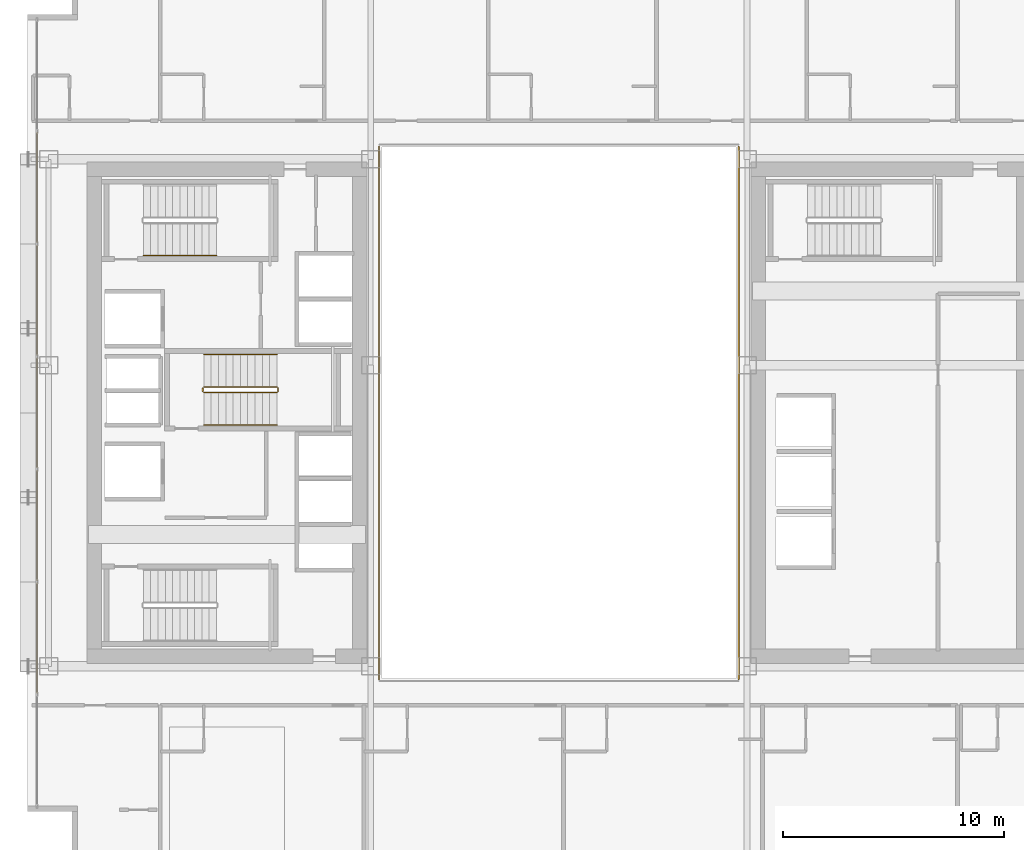
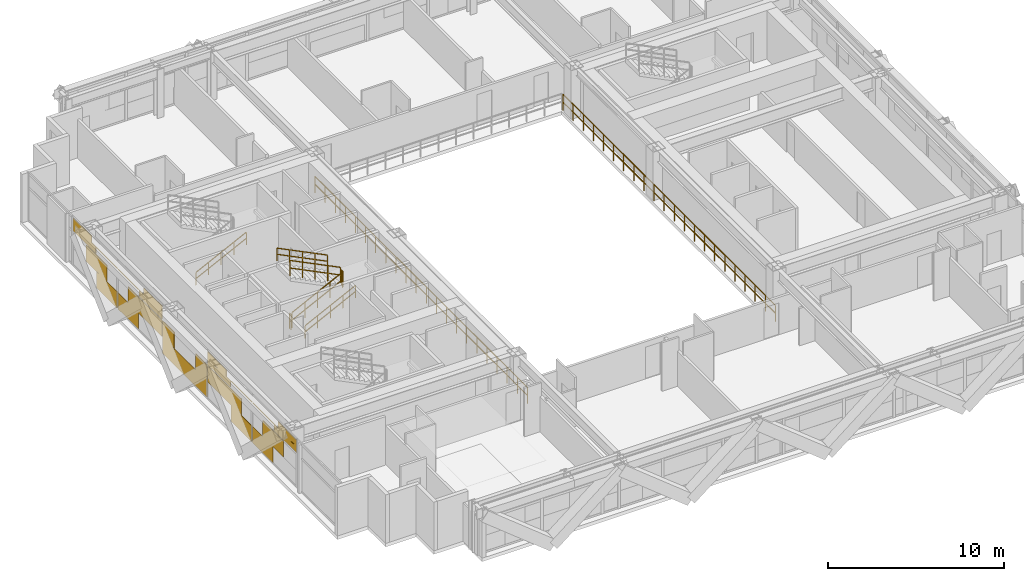
# One storey, part 32 of 34: 9 railings, 1 covering.
"""IFC4 building model written with IfcOpenShell, lengths in metres."""

from ifc_helpers import new_model, si_unit, direction, frame, origin, origin_2d, place, context, subcontext, project, spatial, rectangle, extrude, material, layer, layer_set, type_object, element, save


model = new_model("IFC4")

# Units and contexts
model_context = context("Model", 3, precision=1e-05, world=origin(), true_north=direction((0.0, 1.0)))
body_context = subcontext(model_context, "Body", "Model", "MODEL_VIEW")
ifc_project = project(units=[si_unit("LENGTHUNIT", "METRE"), si_unit("AREAUNIT", "SQUARE_METRE"), si_unit("VOLUMEUNIT", "CUBIC_METRE"), si_unit("PLANEANGLEUNIT", "RADIAN"), si_unit("MASSUNIT", "GRAM", prefix="KILO")], contexts=[model_context])

# Site, building, storey
site_placement = place(None, origin())
site = spatial("IfcSite", under=ifc_project, at=site_placement, CompositionType="ELEMENT")
building_placement = place(site_placement, origin())
building = spatial("IfcBuilding", under=site, at=building_placement, Name="Ocotamira Hotel", CompositionType="ELEMENT")
storey_placement = place(building_placement, frame((0.0, 0.0, 108.0)))
storey = spatial("IfcBuildingStorey", under=building, at=storey_placement, Name="L26", CompositionType="ELEMENT", Elevation=108.0)

# Covering
ifc_material_1 = material(Name="Insulated pale-metal aluminium spandrel panel", Category="aluminium")
ifc_layer = layer(ifc_material_1, 0.044921875)
ifc_layer_set = layer_set([ifc_layer], Name="Insulated pale-metal aluminium spandrel panel")
covering_type = type_object("IfcCoveringType", Name="COV-INFILL-45", PredefinedType="CLADDING", material=ifc_layer_set)
covering_placement = place(storey_placement, origin())
element("IfcCovering", 1, at=covering_placement, inside=storey, type_object=covering_type, Name="L26 Curtain Wall Infill CW-3 CW-L26-W", PredefinedType="CLADDING", context=body_context, shape_type="SweptSolid", body=[
    extrude(rectangle(XDim=2.35107421875, YDim=0.044921875, at=origin_2d()), frame((8.419921875, 15.988525390625, 1.1943359375), z_axis=(0.0, 0.0, 1.0), x_axis=(0.0, 1.0, 0.0)), (0.0, 0.0, 1.0), 1.117919921875),
    extrude(rectangle(XDim=2.331787109375, YDim=0.044921875, at=origin_2d()), frame((8.419921875, 17.1650390625, 0.07568359375), z_axis=(0.0, 0.0, 1.0), x_axis=(0.0, 1.0, 0.0)), (0.0, 0.0, 1.0), 1.11767578125),
    extrude(rectangle(XDim=2.572265625, YDim=0.044921875, at=origin_2d()), frame((8.419921875, 14.6123046875, 2.38818359375), z_axis=(0.0, 0.0, 1.0), x_axis=(0.0, 1.0, 0.0)), (0.0, 0.0, 1.0), 0.413330078125),
    extrude(rectangle(XDim=5.004638671875, YDim=0.044921875, at=origin_2d()), frame((8.419921875, 15.82861328125, 2.802490234375), z_axis=(0.0, 0.0, 1.0), x_axis=(0.0, 1.0, 0.0)), (0.0, 0.0, 1.0), 0.033203125),
    extrude(rectangle(XDim=2.096435546875, YDim=0.044921875, at=origin_2d()), frame((8.419921875, 14.37451171875, 2.836669921875), z_axis=(0.0, 0.0, 1.0), x_axis=(0.0, 1.0, 0.0)), (0.0, 0.0, 1.0), 0.44775390625),
    extrude(rectangle(XDim=2.322265625, YDim=0.044921875, at=origin_2d()), frame((8.419921875, 19.572998046875, 0.07568359375), z_axis=(0.0, 0.0, 1.0), x_axis=(0.0, 1.0, 0.0)), (0.0, 0.0, 1.0), 1.11767578125),
    extrude(rectangle(XDim=3.847412109375, YDim=0.044921875, at=origin_2d()), frame((8.419921875, 21.492919921875, 1.1943359375), z_axis=(0.0, 0.0, 1.0), x_axis=(0.0, 1.0, 0.0)), (0.0, 0.0, 1.0), 1.117919921875),
    extrude(rectangle(XDim=5.004638671875, YDim=0.044921875, at=origin_2d()), frame((8.419921875, 20.914306640625, 2.802490234375), z_axis=(0.0, 0.0, 1.0), x_axis=(0.0, 1.0, 0.0)), (0.0, 0.0, 1.0), 0.033203125),
    extrude(rectangle(XDim=2.581787109375, YDim=0.044921875, at=origin_2d()), frame((8.419921875, 22.125732421875, 2.38818359375), z_axis=(0.0, 0.0, 1.0), x_axis=(0.0, 1.0, 0.0)), (0.0, 0.0, 1.0), 0.413330078125),
    extrude(rectangle(XDim=2.106201171875, YDim=0.044921875, at=origin_2d()), frame((8.419921875, 22.363525390625, 2.836669921875), z_axis=(0.0, 0.0, 1.0), x_axis=(0.0, 1.0, 0.0)), (0.0, 0.0, 1.0), 0.44775390625),
    extrude(rectangle(XDim=5.004638671875, YDim=0.044921875, at=origin_2d()), frame((8.419921875, 26.0, 0.07568359375), z_axis=(0.0, 0.0, 1.0), x_axis=(0.0, 1.0, 0.0)), (0.0, 0.0, 1.0), 1.11767578125),
    extrude(rectangle(XDim=1.2998046875, YDim=0.044921875, at=origin_2d()), frame((8.419921875, 24.1474609375, 1.1943359375), z_axis=(0.0, 0.0, 1.0), x_axis=(0.0, 1.0, 0.0)), (0.0, 0.0, 1.0), 1.117919921875),
    extrude(rectangle(XDim=1.2998046875, YDim=0.044921875, at=origin_2d()), frame((8.419921875, 27.8525390625, 1.1943359375), z_axis=(0.0, 0.0, 1.0), x_axis=(0.0, 1.0, 0.0)), (0.0, 0.0, 1.0), 1.117919921875),
    extrude(rectangle(XDim=3.847412109375, YDim=0.044921875, at=origin_2d()), frame((8.419921875, 30.507080078125, 1.1943359375), z_axis=(0.0, 0.0, 1.0), x_axis=(0.0, 1.0, 0.0)), (0.0, 0.0, 1.0), 1.117919921875),
    extrude(rectangle(XDim=2.322265625, YDim=0.044921875, at=origin_2d()), frame((8.419921875, 32.427001953125, 0.07568359375), z_axis=(0.0, 0.0, 1.0), x_axis=(0.0, 1.0, 0.0)), (0.0, 0.0, 1.0), 1.11767578125),
    extrude(rectangle(XDim=2.581787109375, YDim=0.044921875, at=origin_2d()), frame((8.419921875, 29.874267578125, 2.38818359375), z_axis=(0.0, 0.0, 1.0), x_axis=(0.0, 1.0, 0.0)), (0.0, 0.0, 1.0), 0.413330078125),
    extrude(rectangle(XDim=5.004638671875, YDim=0.044921875, at=origin_2d()), frame((8.419921875, 31.085693359375, 2.802490234375), z_axis=(0.0, 0.0, 1.0), x_axis=(0.0, 1.0, 0.0)), (0.0, 0.0, 1.0), 0.033203125),
    extrude(rectangle(XDim=2.106201171875, YDim=0.044921875, at=origin_2d()), frame((8.419921875, 29.636474609375, 2.836669921875), z_axis=(0.0, 0.0, 1.0), x_axis=(0.0, 1.0, 0.0)), (0.0, 0.0, 1.0), 0.44775390625),
    extrude(rectangle(XDim=2.331787109375, YDim=0.044921875, at=origin_2d()), frame((8.419921875, 34.8349609375, 0.07568359375), z_axis=(0.0, 0.0, 1.0), x_axis=(0.0, 1.0, 0.0)), (0.0, 0.0, 1.0), 1.11767578125),
    extrude(rectangle(XDim=2.35107421875, YDim=0.044921875, at=origin_2d()), frame((8.419921875, 36.011474609375, 1.1943359375), z_axis=(0.0, 0.0, 1.0), x_axis=(0.0, 1.0, 0.0)), (0.0, 0.0, 1.0), 1.117919921875),
    extrude(rectangle(XDim=5.004638671875, YDim=0.044921875, at=origin_2d()), frame((8.419921875, 36.17138671875, 2.802490234375), z_axis=(0.0, 0.0, 1.0), x_axis=(0.0, 1.0, 0.0)), (0.0, 0.0, 1.0), 0.033203125),
    extrude(rectangle(XDim=2.572265625, YDim=0.044921875, at=origin_2d()), frame((8.419921875, 37.3876953125, 2.38818359375), z_axis=(0.0, 0.0, 1.0), x_axis=(0.0, 1.0, 0.0)), (0.0, 0.0, 1.0), 0.413330078125),
    extrude(rectangle(XDim=2.096435546875, YDim=0.044921875, at=origin_2d()), frame((8.419921875, 37.62548828125, 2.836669921875), z_axis=(0.0, 0.0, 1.0), x_axis=(0.0, 1.0, 0.0)), (0.0, 0.0, 1.0), 0.44775390625),
])

# Railings
ifc_material_2 = material(Name="Painted steel stair guardrail", Category="steel")
railing_type_1 = type_object("IfcRailingType", Name="RL-EDGE-1150", PredefinedType="GUARDRAIL", material=ifc_material_2)
railing_1_placement = place(storey_placement, frame((40.1201171875, 13.9599609375, 0.0)))
element("IfcRailing", 2, at=railing_1_placement, inside=storey, type_object=railing_type_1, Name="L26 Central Atrium Edge Guardrail E", PredefinedType="GUARDRAIL", context=body_context, shape_type="SweptSolid", body=[
    extrude(rectangle(XDim=0.048095703125, YDim=0.048095703125, at=origin_2d()), frame((0.0, 0.0, 1.1259765625), z_axis=(0.0, 1.0, 0.0), x_axis=(-1.0, 0.0, 0.0)), (0.0, 0.0, 1.0), 24.080078125),
    extrude(rectangle(XDim=0.048095703125, YDim=0.048095703125, at=origin_2d()), frame((0.0, 0.0, 0.574951171875), z_axis=(0.0, 1.0, 0.0), x_axis=(-1.0, 0.0, 0.0)), (0.0, 0.0, 1.0), 24.080078125),
    extrude(rectangle(XDim=0.0419921875, YDim=0.0419921875, at=origin_2d()), origin(), (0.0, 0.0, 1.0), 1.101806640625),
    extrude(rectangle(XDim=0.0419921875, YDim=0.0419921875, at=origin_2d()), frame((0.0, 1.146728515625, 0.0)), (0.0, 0.0, 1.0), 1.101806640625),
    extrude(rectangle(XDim=0.0419921875, YDim=0.0419921875, at=origin_2d()), frame((0.0, 2.29345703125, 0.0)), (0.0, 0.0, 1.0), 1.101806640625),
    extrude(rectangle(XDim=0.0419921875, YDim=0.0419921875, at=origin_2d()), frame((0.0, 3.43994140625, 0.0)), (0.0, 0.0, 1.0), 1.101806640625),
    extrude(rectangle(XDim=0.0419921875, YDim=0.0419921875, at=origin_2d()), frame((0.0, 4.586669921875, 0.0)), (0.0, 0.0, 1.0), 1.101806640625),
    extrude(rectangle(XDim=0.0419921875, YDim=0.0419921875, at=origin_2d()), frame((0.0, 5.7333984375, 0.0)), (0.0, 0.0, 1.0), 1.101806640625),
    extrude(rectangle(XDim=0.0419921875, YDim=0.0419921875, at=origin_2d()), frame((0.0, 6.880126953125, 0.0)), (0.0, 0.0, 1.0), 1.101806640625),
    extrude(rectangle(XDim=0.0419921875, YDim=0.0419921875, at=origin_2d()), frame((0.0, 8.026611328125, 0.0)), (0.0, 0.0, 1.0), 1.101806640625),
    extrude(rectangle(XDim=0.0419921875, YDim=0.0419921875, at=origin_2d()), frame((0.0, 9.17333984375, 0.0)), (0.0, 0.0, 1.0), 1.101806640625),
    extrude(rectangle(XDim=0.0419921875, YDim=0.0419921875, at=origin_2d()), frame((0.0, 10.320068359375, 0.0)), (0.0, 0.0, 1.0), 1.101806640625),
    extrude(rectangle(XDim=0.0419921875, YDim=0.0419921875, at=origin_2d()), frame((0.0, 11.466796875, 0.0)), (0.0, 0.0, 1.0), 1.101806640625),
    extrude(rectangle(XDim=0.0419921875, YDim=0.0419921875, at=origin_2d()), frame((0.0, 12.61328125, 0.0)), (0.0, 0.0, 1.0), 1.101806640625),
    extrude(rectangle(XDim=0.0419921875, YDim=0.0419921875, at=origin_2d()), frame((0.0, 13.760009765625, 0.0)), (0.0, 0.0, 1.0), 1.101806640625),
    extrude(rectangle(XDim=0.0419921875, YDim=0.0419921875, at=origin_2d()), frame((0.0, 14.90673828125, 0.0)), (0.0, 0.0, 1.0), 1.101806640625),
    extrude(rectangle(XDim=0.0419921875, YDim=0.0419921875, at=origin_2d()), frame((0.0, 16.053466796875, 0.0)), (0.0, 0.0, 1.0), 1.101806640625),
    extrude(rectangle(XDim=0.0419921875, YDim=0.0419921875, at=origin_2d()), frame((0.0, 17.199951171875, 0.0)), (0.0, 0.0, 1.0), 1.101806640625),
    extrude(rectangle(XDim=0.0419921875, YDim=0.0419921875, at=origin_2d()), frame((0.0, 18.3466796875, 0.0)), (0.0, 0.0, 1.0), 1.101806640625),
    extrude(rectangle(XDim=0.0419921875, YDim=0.0419921875, at=origin_2d()), frame((0.0, 19.493408203125, 0.0)), (0.0, 0.0, 1.0), 1.101806640625),
    extrude(rectangle(XDim=0.0419921875, YDim=0.0419921875, at=origin_2d()), frame((0.0, 20.64013671875, 0.0)), (0.0, 0.0, 1.0), 1.101806640625),
    extrude(rectangle(XDim=0.0419921875, YDim=0.0419921875, at=origin_2d()), frame((0.0, 21.78662109375, 0.0)), (0.0, 0.0, 1.0), 1.101806640625),
    extrude(rectangle(XDim=0.0419921875, YDim=0.0419921875, at=origin_2d()), frame((0.0, 22.933349609375, 0.0)), (0.0, 0.0, 1.0), 1.101806640625),
    extrude(rectangle(XDim=0.0419921875, YDim=0.0419921875, at=origin_2d()), frame((0.0, 24.080078125, 0.0)), (0.0, 0.0, 1.0), 1.101806640625),
])
railing_2_placement = place(storey_placement, frame((23.8798828125, 38.0400390625, 0.0)))
element("IfcRailing", 3, at=railing_2_placement, inside=storey, type_object=railing_type_1, Name="L26 Central Atrium Edge Guardrail W", PredefinedType="GUARDRAIL", context=body_context, shape_type="SweptSolid", body=[
    extrude(rectangle(XDim=0.048095703125, YDim=0.048095703125, at=origin_2d()), frame((0.0, 0.0, 1.1259765625), z_axis=(0.0, -1.0, 0.0), x_axis=(1.0, 0.0, 0.0)), (0.0, 0.0, 1.0), 24.080078125),
    extrude(rectangle(XDim=0.048095703125, YDim=0.048095703125, at=origin_2d()), frame((0.0, 0.0, 0.574951171875), z_axis=(0.0, -1.0, 0.0), x_axis=(1.0, 0.0, 0.0)), (0.0, 0.0, 1.0), 24.080078125),
    extrude(rectangle(XDim=0.0419921875, YDim=0.0419921875, at=origin_2d()), origin(), (0.0, 0.0, 1.0), 1.101806640625),
    extrude(rectangle(XDim=0.0419921875, YDim=0.0419921875, at=origin_2d()), frame((0.0, -1.146728515625, 0.0)), (0.0, 0.0, 1.0), 1.101806640625),
    extrude(rectangle(XDim=0.0419921875, YDim=0.0419921875, at=origin_2d()), frame((0.0, -2.29345703125, 0.0)), (0.0, 0.0, 1.0), 1.101806640625),
    extrude(rectangle(XDim=0.0419921875, YDim=0.0419921875, at=origin_2d()), frame((0.0, -3.43994140625, 0.0)), (0.0, 0.0, 1.0), 1.101806640625),
    extrude(rectangle(XDim=0.0419921875, YDim=0.0419921875, at=origin_2d()), frame((0.0, -4.586669921875, 0.0)), (0.0, 0.0, 1.0), 1.101806640625),
    extrude(rectangle(XDim=0.0419921875, YDim=0.0419921875, at=origin_2d()), frame((0.0, -5.7333984375, 0.0)), (0.0, 0.0, 1.0), 1.101806640625),
    extrude(rectangle(XDim=0.0419921875, YDim=0.0419921875, at=origin_2d()), frame((0.0, -6.880126953125, 0.0)), (0.0, 0.0, 1.0), 1.101806640625),
    extrude(rectangle(XDim=0.0419921875, YDim=0.0419921875, at=origin_2d()), frame((0.0, -8.026611328125, 0.0)), (0.0, 0.0, 1.0), 1.101806640625),
    extrude(rectangle(XDim=0.0419921875, YDim=0.0419921875, at=origin_2d()), frame((0.0, -9.17333984375, 0.0)), (0.0, 0.0, 1.0), 1.101806640625),
    extrude(rectangle(XDim=0.0419921875, YDim=0.0419921875, at=origin_2d()), frame((0.0, -10.320068359375, 0.0)), (0.0, 0.0, 1.0), 1.101806640625),
    extrude(rectangle(XDim=0.0419921875, YDim=0.0419921875, at=origin_2d()), frame((0.0, -11.466796875, 0.0)), (0.0, 0.0, 1.0), 1.101806640625),
    extrude(rectangle(XDim=0.0419921875, YDim=0.0419921875, at=origin_2d()), frame((0.0, -12.61328125, 0.0)), (0.0, 0.0, 1.0), 1.101806640625),
    extrude(rectangle(XDim=0.0419921875, YDim=0.0419921875, at=origin_2d()), frame((0.0, -13.760009765625, 0.0)), (0.0, 0.0, 1.0), 1.101806640625),
    extrude(rectangle(XDim=0.0419921875, YDim=0.0419921875, at=origin_2d()), frame((0.0, -14.90673828125, 0.0)), (0.0, 0.0, 1.0), 1.101806640625),
    extrude(rectangle(XDim=0.0419921875, YDim=0.0419921875, at=origin_2d()), frame((0.0, -16.053466796875, 0.0)), (0.0, 0.0, 1.0), 1.101806640625),
    extrude(rectangle(XDim=0.0419921875, YDim=0.0419921875, at=origin_2d()), frame((0.0, -17.199951171875, 0.0)), (0.0, 0.0, 1.0), 1.101806640625),
    extrude(rectangle(XDim=0.0419921875, YDim=0.0419921875, at=origin_2d()), frame((0.0, -18.3466796875, 0.0)), (0.0, 0.0, 1.0), 1.101806640625),
    extrude(rectangle(XDim=0.0419921875, YDim=0.0419921875, at=origin_2d()), frame((0.0, -19.493408203125, 0.0)), (0.0, 0.0, 1.0), 1.101806640625),
    extrude(rectangle(XDim=0.0419921875, YDim=0.0419921875, at=origin_2d()), frame((0.0, -20.64013671875, 0.0)), (0.0, 0.0, 1.0), 1.101806640625),
    extrude(rectangle(XDim=0.0419921875, YDim=0.0419921875, at=origin_2d()), frame((0.0, -21.78662109375, 0.0)), (0.0, 0.0, 1.0), 1.101806640625),
    extrude(rectangle(XDim=0.0419921875, YDim=0.0419921875, at=origin_2d()), frame((0.0, -22.933349609375, 0.0)), (0.0, 0.0, 1.0), 1.101806640625),
    extrude(rectangle(XDim=0.0419921875, YDim=0.0419921875, at=origin_2d()), frame((0.0, -24.080078125, 0.0)), (0.0, 0.0, 1.0), 1.101806640625),
])
ifc_material_3 = material(Name="Brushed stainless steel handrail", Category="steel")
railing_type_2 = type_object("IfcRailingType", Name="RL-HAND-900", PredefinedType="HANDRAIL", material=ifc_material_3)
for number, where, name in (
    (4, (13.22998046875, 33.10009765625, 0.327392578125), "L26 ST-2 stair handrail 1"),
    (5, (15.9599609375, 25.449951171875, 0.327392578125), "L26 ST-3 stair handrail 1"),
):
    element("IfcRailing", number, at=place(storey_placement, frame(where)), inside=storey, type_object=railing_type_2, Name=name, PredefinedType="HANDRAIL", context=body_context, shape_type="SweptSolid", body=[
        extrude(rectangle(XDim=0.048095703125, YDim=0.048095703125, at=origin_2d()), frame((0.0, 0.0, 0.8759765625), z_axis=(0.895920123917, 0.0, 0.444215186098), x_axis=(0.0, 1.0, 0.0)), (0.0, 0.0, 1.0), 3.683349609375),
        extrude(rectangle(XDim=0.048095703125, YDim=0.048095703125, at=origin_2d()), frame((0.0, 0.0, 0.449951171875), z_axis=(0.895920123917, 0.0, 0.444215186098), x_axis=(0.0, 1.0, 0.0)), (0.0, 0.0, 1.0), 3.683349609375),
        extrude(rectangle(XDim=0.0419921875, YDim=0.0419921875, at=origin_2d()), origin(), (0.0, 0.0, 1.0), 0.851806640625),
        extrude(rectangle(XDim=0.0419921875, YDim=0.0419921875, at=origin_2d()), frame((0.824951171875, 0.0, 0.4091796875)), (0.0, 0.0, 1.0), 0.851806640625),
        extrude(rectangle(XDim=0.0419921875, YDim=0.0419921875, at=origin_2d()), frame((1.64990234375, 0.0, 0.818115234375)), (0.0, 0.0, 1.0), 0.851806640625),
        extrude(rectangle(XDim=0.0419921875, YDim=0.0419921875, at=origin_2d()), frame((2.47509765625, 0.0, 1.22705078125)), (0.0, 0.0, 1.0), 0.851806640625),
        extrude(rectangle(XDim=0.0419921875, YDim=0.0419921875, at=origin_2d()), frame((3.300048828125, 0.0, 1.63623046875)), (0.0, 0.0, 1.0), 0.851806640625),
    ])
railing_3_placement = place(storey_placement, frame((19.260009765625, 28.6298828125, 2.127197265625)))
element("IfcRailing", 6, at=railing_3_placement, inside=storey, type_object=railing_type_2, Name="L26 ST-3 stair handrail 2", PredefinedType="HANDRAIL", context=body_context, shape_type="SweptSolid", body=[
    extrude(rectangle(XDim=0.048095703125, YDim=0.048095703125, at=origin_2d()), frame((0.0, 0.0, 0.8759765625), z_axis=(-0.895893744519, 0.0, 0.4442683857), x_axis=(0.0, -1.0, 0.0)), (0.0, 0.0, 1.0), 3.68359375),
    extrude(rectangle(XDim=0.048095703125, YDim=0.048095703125, at=origin_2d()), frame((0.0, 0.0, 0.449951171875), z_axis=(-0.895893744519, 0.0, 0.4442683857), x_axis=(0.0, -1.0, 0.0)), (0.0, 0.0, 1.0), 3.68359375),
    extrude(rectangle(XDim=0.0419921875, YDim=0.0419921875, at=origin_2d()), origin(), (0.0, 0.0, 1.0), 0.851806640625),
    extrude(rectangle(XDim=0.0419921875, YDim=0.0419921875, at=origin_2d()), frame((-0.824951171875, 0.0, 0.4091796875)), (0.0, 0.0, 1.0), 0.851806640625),
    extrude(rectangle(XDim=0.0419921875, YDim=0.0419921875, at=origin_2d()), frame((-1.64990234375, 0.0, 0.818359375)), (0.0, 0.0, 1.0), 0.851806640625),
    extrude(rectangle(XDim=0.0419921875, YDim=0.0419921875, at=origin_2d()), frame((-2.47509765625, 0.0, 1.227294921875)), (0.0, 0.0, 1.0), 0.851806640625),
    extrude(rectangle(XDim=0.0419921875, YDim=0.0419921875, at=origin_2d()), frame((-3.300048828125, 0.0, 1.636474609375)), (0.0, 0.0, 1.0), 0.851806640625),
])
railing_type_3 = type_object("IfcRailingType", Name="RL-STAIR-1100", PredefinedType="GUARDRAIL", material=ifc_material_2)
railing_4_placement = place(storey_placement, frame((15.9599609375, 26.909912109375, 0.16357421875)))
element("IfcRailing", 7, at=railing_4_placement, inside=storey, type_object=railing_type_3, Name="L26 ST-3 stair guard 1", PredefinedType="GUARDRAIL", context=body_context, shape_type="SweptSolid", body=[
    extrude(rectangle(XDim=0.048095703125, YDim=0.048095703125, at=origin_2d()), frame((0.0, 0.0, 1.076171875), z_axis=(0.895893744519, 0.0, 0.4442683857), x_axis=(0.0, 1.0, 0.0)), (0.0, 0.0, 1.0), 3.68359375),
    extrude(rectangle(XDim=0.048095703125, YDim=0.048095703125, at=origin_2d()), frame((0.0, 0.0, 0.550048828125), z_axis=(0.895893744519, 0.0, 0.4442683857), x_axis=(0.0, 1.0, 0.0)), (0.0, 0.0, 1.0), 3.68359375),
    extrude(rectangle(XDim=0.0419921875, YDim=0.0419921875, at=origin_2d()), origin(), (0.0, 0.0, 1.0), 1.052001953125),
    extrude(rectangle(XDim=0.0419921875, YDim=0.0419921875, at=origin_2d()), frame((0.824951171875, 0.0, 0.4091796875)), (0.0, 0.0, 1.0), 1.052001953125),
    extrude(rectangle(XDim=0.0419921875, YDim=0.0419921875, at=origin_2d()), frame((1.64990234375, 0.0, 0.818359375)), (0.0, 0.0, 1.0), 1.052001953125),
    extrude(rectangle(XDim=0.0419921875, YDim=0.0419921875, at=origin_2d()), frame((2.47509765625, 0.0, 1.227294921875)), (0.0, 0.0, 1.0), 1.052001953125),
    extrude(rectangle(XDim=0.0419921875, YDim=0.0419921875, at=origin_2d()), frame((3.300048828125, 0.0, 1.636474609375)), (0.0, 0.0, 1.0), 1.052001953125),
])
railing_5_placement = place(storey_placement, frame((19.31005859375, 26.9599609375, 1.800048828125)))
element("IfcRailing", 8, at=railing_5_placement, inside=storey, type_object=railing_type_3, Name="L26 ST-3 stair guard 2", PredefinedType="GUARDRAIL", context=body_context, shape_type="SweptSolid", body=[
    extrude(rectangle(XDim=0.048095703125, YDim=0.048095703125, at=origin_2d()), frame((0.0, 0.0, 1.076171875), z_axis=(0.0, 1.0, 0.0), x_axis=(-1.0, 0.0, 0.0)), (0.0, 0.0, 1.0), 0.16015625),
    extrude(rectangle(XDim=0.048095703125, YDim=0.048095703125, at=origin_2d()), frame((0.0, 0.0, 0.550048828125), z_axis=(0.0, 1.0, 0.0), x_axis=(-1.0, 0.0, 0.0)), (0.0, 0.0, 1.0), 0.16015625),
    extrude(rectangle(XDim=0.0419921875, YDim=0.0419921875, at=origin_2d()), origin(), (0.0, 0.0, 1.0), 1.052001953125),
    extrude(rectangle(XDim=0.0419921875, YDim=0.0419921875, at=origin_2d()), frame((0.0, 0.16015625, 0.0)), (0.0, 0.0, 1.0), 1.052001953125),
])
railing_6_placement = place(storey_placement, frame((19.260009765625, 27.169921875, 1.963623046875)))
element("IfcRailing", 9, at=railing_6_placement, inside=storey, type_object=railing_type_3, Name="L26 ST-3 stair guard 3", PredefinedType="GUARDRAIL", context=body_context, shape_type="SweptSolid", body=[
    extrude(rectangle(XDim=0.048095703125, YDim=0.048095703125, at=origin_2d()), frame((0.0, 0.0, 1.076171875), z_axis=(-0.895893744519, 0.0, 0.4442683857), x_axis=(0.0, -1.0, 0.0)), (0.0, 0.0, 1.0), 3.68359375),
    extrude(rectangle(XDim=0.048095703125, YDim=0.048095703125, at=origin_2d()), frame((0.0, 0.0, 0.550048828125), z_axis=(-0.895893744519, 0.0, 0.4442683857), x_axis=(0.0, -1.0, 0.0)), (0.0, 0.0, 1.0), 3.68359375),
    extrude(rectangle(XDim=0.0419921875, YDim=0.0419921875, at=origin_2d()), origin(), (0.0, 0.0, 1.0), 1.052001953125),
    extrude(rectangle(XDim=0.0419921875, YDim=0.0419921875, at=origin_2d()), frame((-0.824951171875, 0.0, 0.4091796875)), (0.0, 0.0, 1.0), 1.052001953125),
    extrude(rectangle(XDim=0.0419921875, YDim=0.0419921875, at=origin_2d()), frame((-1.64990234375, 0.0, 0.818359375)), (0.0, 0.0, 1.0), 1.052001953125),
    extrude(rectangle(XDim=0.0419921875, YDim=0.0419921875, at=origin_2d()), frame((-2.47509765625, 0.0, 1.227294921875)), (0.0, 0.0, 1.0), 1.052001953125),
    extrude(rectangle(XDim=0.0419921875, YDim=0.0419921875, at=origin_2d()), frame((-3.300048828125, 0.0, 1.636474609375)), (0.0, 0.0, 1.0), 1.052001953125),
])
railing_7_placement = place(storey_placement, frame((15.909912109375, 26.9599609375, 0.0)))
element("IfcRailing", 10, at=railing_7_placement, inside=storey, type_object=railing_type_3, Name="L26 ST-3 stair guard 4", PredefinedType="GUARDRAIL", context=body_context, shape_type="SweptSolid", body=[
    extrude(rectangle(XDim=0.048095703125, YDim=0.048095703125, at=origin_2d()), frame((0.0, 0.0, 1.076171875), z_axis=(0.0, 1.0, 0.0), x_axis=(-1.0, 0.0, 0.0)), (0.0, 0.0, 1.0), 0.16015625),
    extrude(rectangle(XDim=0.048095703125, YDim=0.048095703125, at=origin_2d()), frame((0.0, 0.0, 0.550048828125), z_axis=(0.0, 1.0, 0.0), x_axis=(-1.0, 0.0, 0.0)), (0.0, 0.0, 1.0), 0.16015625),
    extrude(rectangle(XDim=0.0419921875, YDim=0.0419921875, at=origin_2d()), origin(), (0.0, 0.0, 1.0), 1.052001953125),
    extrude(rectangle(XDim=0.0419921875, YDim=0.0419921875, at=origin_2d()), frame((0.0, 0.16015625, 0.0)), (0.0, 0.0, 1.0), 1.052001953125),
])

save(model, "model.ifc")
